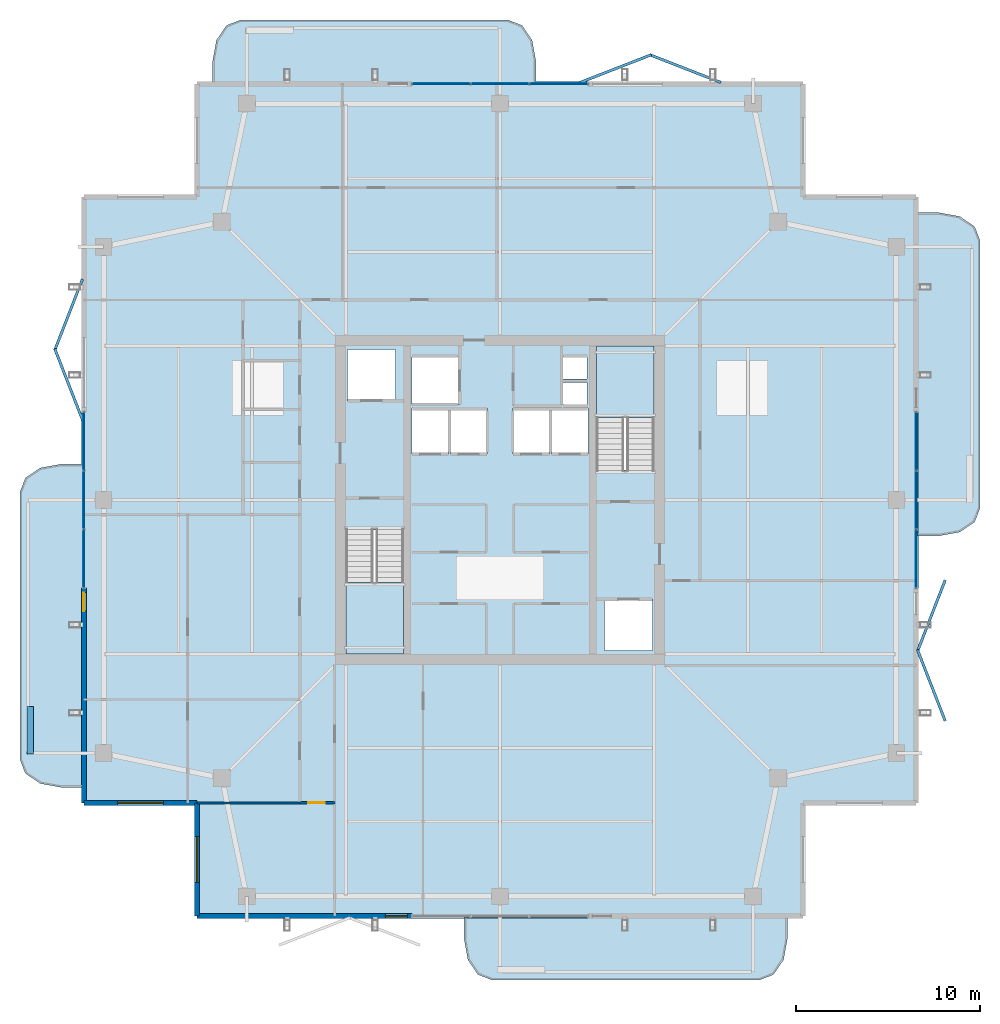
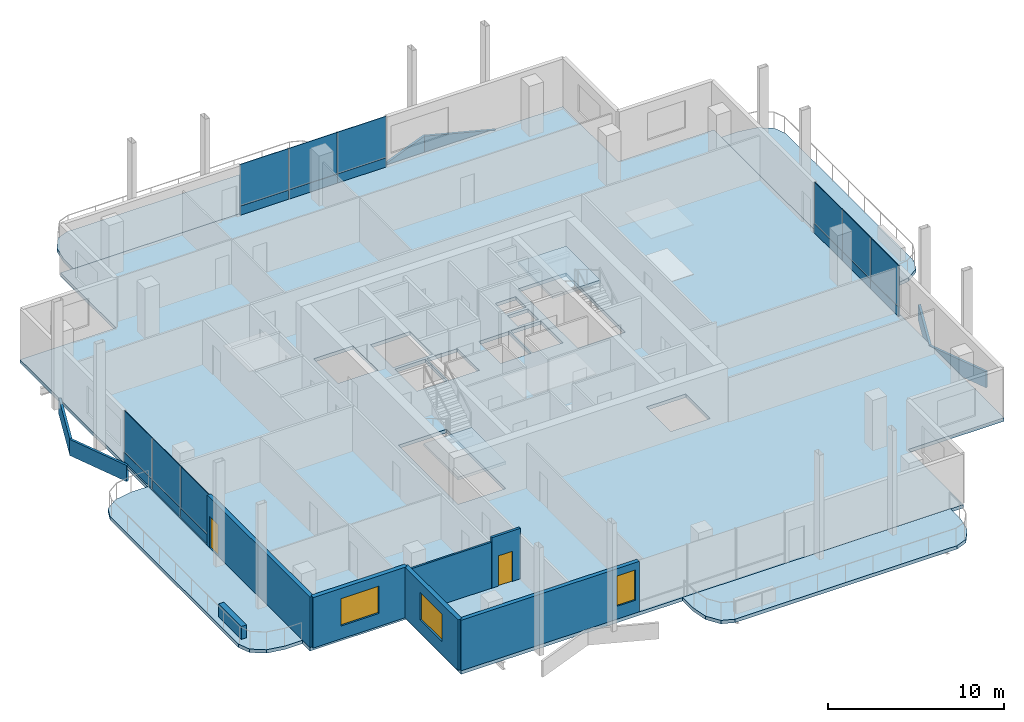
# One storey, part 13 of 20: 24 plates, 7 slabs, 7 walls, 3 windows, 2 doors, 5 openings, 5 elements without a shape of their own.
"""IFC4 building model written with IfcOpenShell, lengths in metres."""

from ifc_helpers import new_model, si_unit, direction, frame, frame_2d, origin, origin_2d, place, context, subcontext, project, spatial, polyline, rectangle, outline, extrude, material, layer, layer_set, type_object, element, fill, aggregate, save


model = new_model("IFC4")

# Units and contexts
model_context = context("Model", 3, precision=1e-05, world=origin(), true_north=direction((0.0, 1.0)))
body_context = subcontext(model_context, "Body", "Model", "MODEL_VIEW")
ifc_project = project(units=[si_unit("LENGTHUNIT", "METRE"), si_unit("AREAUNIT", "SQUARE_METRE"), si_unit("VOLUMEUNIT", "CUBIC_METRE"), si_unit("PLANEANGLEUNIT", "RADIAN"), si_unit("MASSUNIT", "GRAM", prefix="KILO")], contexts=[model_context])

# Site, building, storey
site_placement = place(None, origin())
site = spatial("IfcSite", under=ifc_project, at=site_placement, CompositionType="ELEMENT")
building_placement = place(site_placement, origin())
building = spatial("IfcBuilding", under=site, at=building_placement, Name="Belovzor Exchange Tower", CompositionType="ELEMENT")
storey_placement = place(building_placement, frame((0.0, 0.0, 299.25)))
storey = spatial("IfcBuildingStorey", under=building, at=storey_placement, Name="L74", CompositionType="ELEMENT", Elevation=299.25)

# Slab
ifc_material_1 = material(Name="Concrete C40/50", Category="concrete")
ifc_layer_1 = layer(ifc_material_1, 0.239990234375)
ifc_layer_set_1 = layer_set([ifc_layer_1], Name="Concrete C40/50")
slab_type_1 = type_object("IfcSlabType", Name="Composite High-Rise Floor Deck Slab 240", PredefinedType="FLOOR", material=ifc_layer_set_1)
slab_1_placement = place(storey_placement, frame((0.0, 0.0, -0.239990234375)))
element("IfcSlab", 1, at=slab_1_placement, inside=storey, type_object=slab_type_1, Name="SL-F240 Structural Slab L74", PredefinedType="FLOOR", context=body_context, shape_type="SweptSolid", body=[
    extrude(outline(polyline([(12.300048828125, 6.0), (45.300048828125, 6.0), (45.300048828125, 12.300048828125), (51.60009765625, 12.300048828125), (51.60009765625, 45.300048828125), (45.300048828125, 45.300048828125), (45.300048828125, 51.60009765625), (12.300048828125, 51.60009765625), (12.300048828125, 45.300048828125), (6.0, 45.300048828125), (6.0, 12.300048828125), (12.300048828125, 12.300048828125), (12.300048828125, 6.0)]), holes=[polyline([(20.39990234375, 27.175048828125), (20.39990234375, 20.39990234375), (23.550048828125, 20.39990234375), (23.550048828125, 27.175048828125), (20.39990234375, 27.175048828125)]), polyline([(37.199951171875, 30.425048828125), (37.199951171875, 37.199951171875), (34.050048828125, 37.199951171875), (34.050048828125, 30.425048828125), (37.199951171875, 30.425048828125)]), polyline([(20.5, 34.199951171875), (23.10009765625, 34.199951171875), (23.10009765625, 37.0), (20.5, 37.0), (20.5, 34.199951171875)]), polyline([(34.5, 20.60009765625), (37.10009765625, 20.60009765625), (37.10009765625, 23.39990234375), (34.5, 23.39990234375), (34.5, 20.60009765625)]), polyline([(24.0, 34.0), (26.60009765625, 34.0), (26.60009765625, 36.60009765625), (24.0, 36.60009765625), (24.0, 34.0)]), polyline([(24.0, 31.300048828125), (26.0, 31.300048828125), (26.0, 33.800048828125), (24.0, 33.800048828125), (24.0, 31.300048828125)]), polyline([(26.10009765625, 31.300048828125), (28.10009765625, 31.300048828125), (28.10009765625, 33.800048828125), (26.10009765625, 33.800048828125), (26.10009765625, 31.300048828125)]), polyline([(29.5, 31.300048828125), (31.5, 31.300048828125), (31.5, 33.800048828125), (29.5, 33.800048828125), (29.5, 31.300048828125)]), polyline([(31.60009765625, 31.300048828125), (33.60009765625, 31.300048828125), (33.60009765625, 33.800048828125), (31.60009765625, 33.800048828125), (31.60009765625, 31.300048828125)]), polyline([(32.199951171875, 34.0), (33.550048828125, 34.0), (33.550048828125, 35.199951171875), (32.199951171875, 35.199951171875), (32.199951171875, 34.0)]), polyline([(32.199951171875, 35.39990234375), (33.550048828125, 35.39990234375), (33.550048828125, 36.60009765625), (32.199951171875, 36.60009765625), (32.199951171875, 35.39990234375)])]), origin(), (0.0, 0.0, 1.0), 0.239990234375),
])

# Curtain wall, plates
ifc_material_2 = material(Name="Anodised Aluminium Framing", Category="aluminium")
ifc_layer_2 = layer(ifc_material_2, 0.179931640625)
ifc_layer_set_2 = layer_set([ifc_layer_2], Name="Anodised Aluminium Framing")
curtain_wall_type = type_object("IfcCurtainWallType", Name="Recessed Loggia Low-Iron Triple-Glazed Curtain Wall", PredefinedType="NOTDEFINED", material=ifc_layer_set_2)
curtain_wall_1_placement = place(storey_placement, origin())
curtain_wall_1 = element("IfcCurtainWall", 2, at=curtain_wall_1_placement, inside=storey, type_object=curtain_wall_type, Name="CW3 Recessed Loggia Low-Iron Triple-Glazed Curtain Wall L74", PredefinedType="NOTDEFINED")
ifc_material_3 = material(Name="Solar-Control Triple Glazing", Category="glass")
ifc_layer_3 = layer(ifc_material_3, 0.0439453125)
ifc_layer_set_3 = layer_set([ifc_layer_3], Name="Solar-Control Triple Glazing")
plate_type_1 = type_object("IfcPlateType", Name="Insulated Solar Glazing Curtain Panel 44", PredefinedType="CURTAIN_PANEL", material=ifc_layer_set_3)
plate_1_placement = place(storey_placement, frame((25.60009765625, 51.469970703125, 0.634033203125), z_axis=(0.0, 0.0, 1.0), x_axis=(1.0, 0.0, 0.0)))
plate_1 = element("IfcPlate", 3, at=plate_1_placement, type_object=plate_type_1, Name="GLZ-44 Glazed Curtain Panel 1", PredefinedType="CURTAIN_PANEL", context=body_context, shape_type="SweptSolid", body=[
    extrude(rectangle(XDim=3.18408203125, YDim=0.0439453125, at=origin_2d()), origin(), (0.0, 0.0, 1.0), 2.8759765625),
])
plate_2_placement = place(storey_placement, frame((28.800048828125, 51.469970703125, 0.634033203125), z_axis=(0.0, 0.0, 1.0), x_axis=(1.0, 0.0, 0.0)))
plate_2 = element("IfcPlate", 4, at=plate_2_placement, type_object=plate_type_1, Name="GLZ-44 Glazed Curtain Panel 2", PredefinedType="CURTAIN_PANEL", context=body_context, shape_type="SweptSolid", body=[
    extrude(rectangle(XDim=3.18408203125, YDim=0.0439453125, at=origin_2d()), origin(), (0.0, 0.0, 1.0), 2.8759765625),
])
plate_3_placement = place(storey_placement, frame((32.0, 51.469970703125, 0.634033203125), z_axis=(0.0, 0.0, 1.0), x_axis=(1.0, 0.0, 0.0)))
plate_3 = element("IfcPlate", 5, at=plate_3_placement, type_object=plate_type_1, Name="GLZ-44 Glazed Curtain Panel 3", PredefinedType="CURTAIN_PANEL", context=body_context, shape_type="SweptSolid", body=[
    extrude(rectangle(XDim=3.18408203125, YDim=0.0439453125, at=origin_2d()), origin(), (0.0, 0.0, 1.0), 2.8759765625),
])

curtain_wall_2_placement = place(storey_placement, origin())
curtain_wall_2 = element("IfcCurtainWall", 6, at=curtain_wall_2_placement, inside=storey, type_object=curtain_wall_type, Name="CW3 Recessed Loggia Low-Iron Triple-Glazed Curtain Wall L74", PredefinedType="NOTDEFINED")
plate_4_placement = place(storey_placement, frame((6.1298828125, 25.60009765625, 0.634033203125), z_axis=(0.0, 0.0, 1.0), x_axis=(0.0, 1.0, 0.0)))
plate_4 = element("IfcPlate", 7, at=plate_4_placement, type_object=plate_type_1, Name="GLZ-44 Glazed Curtain Panel 1", PredefinedType="CURTAIN_PANEL", context=body_context, shape_type="SweptSolid", body=[
    extrude(rectangle(XDim=3.18408203125, YDim=0.0439453125, at=origin_2d()), origin(), (0.0, 0.0, 1.0), 2.8759765625),
])
plate_5_placement = place(storey_placement, frame((6.1298828125, 28.800048828125, 0.634033203125), z_axis=(0.0, 0.0, 1.0), x_axis=(0.0, 1.0, 0.0)))
plate_5 = element("IfcPlate", 8, at=plate_5_placement, type_object=plate_type_1, Name="GLZ-44 Glazed Curtain Panel 2", PredefinedType="CURTAIN_PANEL", context=body_context, shape_type="SweptSolid", body=[
    extrude(rectangle(XDim=3.18408203125, YDim=0.0439453125, at=origin_2d()), origin(), (0.0, 0.0, 1.0), 2.8759765625),
])
plate_6_placement = place(storey_placement, frame((6.1298828125, 32.0, 0.634033203125), z_axis=(0.0, 0.0, 1.0), x_axis=(0.0, 1.0, 0.0)))
plate_6 = element("IfcPlate", 9, at=plate_6_placement, type_object=plate_type_1, Name="GLZ-44 Glazed Curtain Panel 3", PredefinedType="CURTAIN_PANEL", context=body_context, shape_type="SweptSolid", body=[
    extrude(rectangle(XDim=3.18408203125, YDim=0.0439453125, at=origin_2d()), origin(), (0.0, 0.0, 1.0), 2.8759765625),
])

curtain_wall_3_placement = place(storey_placement, origin())
curtain_wall_3 = element("IfcCurtainWall", 10, at=curtain_wall_3_placement, inside=storey, type_object=curtain_wall_type, Name="CW3 Recessed Loggia Low-Iron Triple-Glazed Curtain Wall L74", PredefinedType="NOTDEFINED")
plate_7_placement = place(storey_placement, frame((51.469970703125, 32.0, 0.634033203125), z_axis=(0.0, 0.0, 1.0), x_axis=(0.0, -1.0, 0.0)))
plate_7 = element("IfcPlate", 11, at=plate_7_placement, type_object=plate_type_1, Name="GLZ-44 Glazed Curtain Panel 1", PredefinedType="CURTAIN_PANEL", context=body_context, shape_type="SweptSolid", body=[
    extrude(rectangle(XDim=3.18408203125, YDim=0.0439453125, at=origin_2d()), origin(), (0.0, 0.0, 1.0), 2.8759765625),
])
plate_8_placement = place(storey_placement, frame((51.469970703125, 28.800048828125, 0.634033203125), z_axis=(0.0, 0.0, 1.0), x_axis=(0.0, -1.0, 0.0)))
plate_8 = element("IfcPlate", 12, at=plate_8_placement, type_object=plate_type_1, Name="GLZ-44 Glazed Curtain Panel 2", PredefinedType="CURTAIN_PANEL", context=body_context, shape_type="SweptSolid", body=[
    extrude(rectangle(XDim=3.18408203125, YDim=0.0439453125, at=origin_2d()), origin(), (0.0, 0.0, 1.0), 2.8759765625),
])
plate_9_placement = place(storey_placement, frame((51.469970703125, 25.60009765625, 0.634033203125), z_axis=(0.0, 0.0, 1.0), x_axis=(0.0, -1.0, 0.0)))
plate_9 = element("IfcPlate", 13, at=plate_9_placement, type_object=plate_type_1, Name="GLZ-44 Glazed Curtain Panel 3", PredefinedType="CURTAIN_PANEL", context=body_context, shape_type="SweptSolid", body=[
    extrude(rectangle(XDim=3.18408203125, YDim=0.0439453125, at=origin_2d()), origin(), (0.0, 0.0, 1.0), 2.8759765625),
])

# Stair, slab
ifc_material_4 = material(Name="Concrete C40/50", Category="concrete")
stair_type = type_object("IfcStairType", Name="Reinforced Concrete Dogleg Escape Stair 1350", PredefinedType="HALF_TURN_STAIR", material=ifc_material_4)
stair_1_placement = place(storey_placement, origin())
stair_1 = element("IfcStair", 14, at=stair_1_placement, inside=storey, type_object=stair_type, Name="L74 ST-1", PredefinedType="HALF_TURN_STAIR")
ifc_material_5 = material(Name="Concrete C40/50", Category="concrete")
ifc_layer_4 = layer(ifc_material_5, 0.199951171875)
ifc_layer_set_4 = layer_set([ifc_layer_4], Name="Concrete C40/50")
slab_type_2 = type_object("IfcSlabType", Name="Reinforced Concrete Stair Half-Landing Slab 200", PredefinedType="LANDING", material=ifc_layer_set_4)
slab_2_placement = place(storey_placement, frame((0.0, 0.0, 1.675048828125)))
slab_2 = element("IfcSlab", 15, at=slab_2_placement, type_object=slab_type_2, Name="ST-1 landing 1", PredefinedType="LANDING", context=body_context, shape_type="SweptSolid", body=[
    extrude(outline(polyline([(20.39990234375, 24.300048828125), (20.39990234375, 20.39990234375), (23.550048828125, 20.39990234375), (23.550048828125, 24.300048828125), (20.39990234375, 24.300048828125)])), origin(), (0.0, 0.0, 1.0), 0.199951171875),
])
aggregate(stair_1, [slab_2])

stair_2_placement = place(storey_placement, origin())
stair_2 = element("IfcStair", 16, at=stair_2_placement, inside=storey, type_object=stair_type, Name="L74 ST-2", PredefinedType="HALF_TURN_STAIR")
slab_3_placement = place(storey_placement, frame((0.0, 0.0, 1.675048828125)))
slab_3 = element("IfcSlab", 17, at=slab_3_placement, type_object=slab_type_2, Name="ST-2 landing 1", PredefinedType="LANDING", context=body_context, shape_type="SweptSolid", body=[
    extrude(outline(polyline([(37.199951171875, 33.300048828125), (37.199951171875, 37.199951171875), (34.050048828125, 37.199951171875), (34.050048828125, 33.300048828125), (37.199951171875, 33.300048828125)])), origin(), (0.0, 0.0, 1.0), 0.199951171875),
])
aggregate(stair_2, [slab_3])

# Plate
ifc_material_6 = material(Name="Extruded Architectural Terracotta", Category="masonry")
ifc_layer_5 = layer(ifc_material_6, 0.090087890625)
ifc_layer_set_5 = layer_set([ifc_layer_5], Name="Extruded Architectural Terracotta")
plate_type_2 = type_object("IfcPlateType", Name="Terracotta Shadow-Box Spandrel Panel 90", PredefinedType="CURTAIN_PANEL", material=ifc_layer_set_5)
plate_10_placement = place(storey_placement, frame((25.60009765625, 51.469970703125, 0.0), z_axis=(0.0, 0.0, 1.0), x_axis=(1.0, 0.0, 0.0)))
plate_10 = element("IfcPlate", 18, at=plate_10_placement, type_object=plate_type_2, Name="SPD-90 Spandrel Panel 1", PredefinedType="CURTAIN_PANEL", context=body_context, shape_type="SweptSolid", body=[
    extrude(rectangle(XDim=3.18408203125, YDim=0.090087890625, at=origin_2d()), origin(), (0.0, 0.0, 1.0), 0.6298828125),
])

plate_11_placement = place(storey_placement, frame((28.800048828125, 51.469970703125, 0.0), z_axis=(0.0, 0.0, 1.0), x_axis=(1.0, 0.0, 0.0)))
plate_11 = element("IfcPlate", 19, at=plate_11_placement, type_object=plate_type_2, Name="SPD-90 Spandrel Panel 2", PredefinedType="CURTAIN_PANEL", context=body_context, shape_type="SweptSolid", body=[
    extrude(rectangle(XDim=3.18408203125, YDim=0.090087890625, at=origin_2d()), origin(), (0.0, 0.0, 1.0), 0.6298828125),
])

plate_12_placement = place(storey_placement, frame((32.0, 51.469970703125, 0.0), z_axis=(0.0, 0.0, 1.0), x_axis=(1.0, 0.0, 0.0)))
plate_12 = element("IfcPlate", 20, at=plate_12_placement, type_object=plate_type_2, Name="SPD-90 Spandrel Panel 3", PredefinedType="CURTAIN_PANEL", context=body_context, shape_type="SweptSolid", body=[
    extrude(rectangle(XDim=3.18408203125, YDim=0.090087890625, at=origin_2d()), origin(), (0.0, 0.0, 1.0), 0.6298828125),
])

aggregate(curtain_wall_1, [plate_10, plate_1, plate_11, plate_2, plate_12, plate_3])

plate_13_placement = place(storey_placement, frame((6.1298828125, 25.60009765625, 0.0), z_axis=(0.0, 0.0, 1.0), x_axis=(0.0, 1.0, 0.0)))
plate_13 = element("IfcPlate", 21, at=plate_13_placement, type_object=plate_type_2, Name="SPD-90 Spandrel Panel 1", PredefinedType="CURTAIN_PANEL", context=body_context, shape_type="SweptSolid", body=[
    extrude(rectangle(XDim=3.18408203125, YDim=0.090087890625, at=origin_2d()), origin(), (0.0, 0.0, 1.0), 0.6298828125),
])

plate_14_placement = place(storey_placement, frame((6.1298828125, 28.800048828125, 0.0), z_axis=(0.0, 0.0, 1.0), x_axis=(0.0, 1.0, 0.0)))
plate_14 = element("IfcPlate", 22, at=plate_14_placement, type_object=plate_type_2, Name="SPD-90 Spandrel Panel 2", PredefinedType="CURTAIN_PANEL", context=body_context, shape_type="SweptSolid", body=[
    extrude(rectangle(XDim=3.18408203125, YDim=0.090087890625, at=origin_2d()), origin(), (0.0, 0.0, 1.0), 0.6298828125),
])

plate_15_placement = place(storey_placement, frame((6.1298828125, 32.0, 0.0), z_axis=(0.0, 0.0, 1.0), x_axis=(0.0, 1.0, 0.0)))
plate_15 = element("IfcPlate", 23, at=plate_15_placement, type_object=plate_type_2, Name="SPD-90 Spandrel Panel 3", PredefinedType="CURTAIN_PANEL", context=body_context, shape_type="SweptSolid", body=[
    extrude(rectangle(XDim=3.18408203125, YDim=0.090087890625, at=origin_2d()), origin(), (0.0, 0.0, 1.0), 0.6298828125),
])

aggregate(curtain_wall_2, [plate_13, plate_4, plate_14, plate_5, plate_15, plate_6])

plate_16_placement = place(storey_placement, frame((51.469970703125, 32.0, 0.0), z_axis=(0.0, 0.0, 1.0), x_axis=(0.0, -1.0, 0.0)))
plate_16 = element("IfcPlate", 24, at=plate_16_placement, type_object=plate_type_2, Name="SPD-90 Spandrel Panel 1", PredefinedType="CURTAIN_PANEL", context=body_context, shape_type="SweptSolid", body=[
    extrude(rectangle(XDim=3.18408203125, YDim=0.090087890625, at=origin_2d()), origin(), (0.0, 0.0, 1.0), 0.6298828125),
])

plate_17_placement = place(storey_placement, frame((51.469970703125, 28.800048828125, 0.0), z_axis=(0.0, 0.0, 1.0), x_axis=(0.0, -1.0, 0.0)))
plate_17 = element("IfcPlate", 25, at=plate_17_placement, type_object=plate_type_2, Name="SPD-90 Spandrel Panel 2", PredefinedType="CURTAIN_PANEL", context=body_context, shape_type="SweptSolid", body=[
    extrude(rectangle(XDim=3.18408203125, YDim=0.090087890625, at=origin_2d()), origin(), (0.0, 0.0, 1.0), 0.6298828125),
])

plate_18_placement = place(storey_placement, frame((51.469970703125, 25.60009765625, 0.0), z_axis=(0.0, 0.0, 1.0), x_axis=(0.0, -1.0, 0.0)))
plate_18 = element("IfcPlate", 26, at=plate_18_placement, type_object=plate_type_2, Name="SPD-90 Spandrel Panel 3", PredefinedType="CURTAIN_PANEL", context=body_context, shape_type="SweptSolid", body=[
    extrude(rectangle(XDim=3.18408203125, YDim=0.090087890625, at=origin_2d()), origin(), (0.0, 0.0, 1.0), 0.6298828125),
])

aggregate(curtain_wall_3, [plate_16, plate_7, plate_17, plate_8, plate_18, plate_9])

# Slabs
ifc_material_7 = material(Name="Concrete C40/50", Category="concrete")
ifc_layer_6 = layer(ifc_material_7, 0.239990234375)
ifc_layer_set_6 = layer_set([ifc_layer_6], Name="Concrete C40/50")
slab_type_3 = type_object("IfcSlabType", Name="Thermally Broken Upper Balcony Slab 240", PredefinedType="FLOOR", material=ifc_layer_set_6)
slab_4_placement = place(storey_placement, frame((0.0, 0.0, -0.239990234375)))
element("IfcSlab", 27, at=slab_4_placement, inside=storey, type_object=slab_type_3, Name="SL-BAL220 Planted Balcony Loggia L74 South", PredefinedType="FLOOR", context=body_context, shape_type="SweptSolid", body=[
    extrude(outline(polyline([(26.85009765625, 6.014892578125), (26.85009765625, 4.85009765625), (27.051025390625, 3.75), (27.60009765625, 2.945068359375), (28.35009765625, 2.64990234375), (42.949951171875, 2.64990234375), (43.699951171875, 2.945068359375), (44.2490234375, 3.75), (44.449951171875, 4.85009765625), (44.449951171875, 6.014892578125), (26.85009765625, 6.014892578125)])), origin(), (0.0, 0.0, 1.0), 0.239990234375),
])
slab_5_placement = place(storey_placement, frame((0.0, 0.0, -0.239990234375)))
element("IfcSlab", 28, at=slab_5_placement, inside=storey, type_object=slab_type_3, Name="SL-BAL220 Planted Balcony Loggia L74 North", PredefinedType="FLOOR", context=body_context, shape_type="SweptSolid", body=[
    extrude(outline(polyline([(30.75, 51.5849609375), (30.75, 52.75), (30.549072265625, 53.85009765625), (30.0, 54.655029296875), (29.25, 54.949951171875), (14.64990234375, 54.949951171875), (13.89990234375, 54.655029296875), (13.35107421875, 53.85009765625), (13.14990234375, 52.75), (13.14990234375, 51.5849609375), (30.75, 51.5849609375)])), origin(), (0.0, 0.0, 1.0), 0.239990234375),
])
slab_6_placement = place(storey_placement, frame((0.0, 0.0, -0.239990234375)))
element("IfcSlab", 29, at=slab_6_placement, inside=storey, type_object=slab_type_3, Name="SL-BAL220 Planted Balcony Loggia L74 East", PredefinedType="FLOOR", context=body_context, shape_type="SweptSolid", body=[
    extrude(outline(polyline([(51.5849609375, 26.85009765625), (52.75, 26.85009765625), (53.85009765625, 27.051025390625), (54.655029296875, 27.60009765625), (54.949951171875, 28.35009765625), (54.949951171875, 42.949951171875), (54.655029296875, 43.699951171875), (53.85009765625, 44.2490234375), (52.75, 44.449951171875), (51.5849609375, 44.449951171875), (51.5849609375, 26.85009765625)])), origin(), (0.0, 0.0, 1.0), 0.239990234375),
])
slab_7_placement = place(storey_placement, frame((0.0, 0.0, -0.239990234375)))
element("IfcSlab", 30, at=slab_7_placement, inside=storey, type_object=slab_type_3, Name="SL-BAL220 Planted Balcony Loggia L74 West", PredefinedType="FLOOR", context=body_context, shape_type="SweptSolid", body=[
    extrude(outline(polyline([(6.014892578125, 30.75), (4.85009765625, 30.75), (3.75, 30.549072265625), (2.945068359375, 30.0), (2.64990234375, 29.25), (2.64990234375, 14.64990234375), (2.945068359375, 13.89990234375), (3.75, 13.35107421875), (4.85009765625, 13.14990234375), (6.014892578125, 13.14990234375), (6.014892578125, 30.75)])), origin(), (0.0, 0.0, 1.0), 0.239990234375),
])

# Plates
ifc_material_8 = material(Name="Extruded Architectural Terracotta", Category="masonry")
ifc_layer_7 = layer(ifc_material_8, 0.14990234375)
ifc_layer_set_7 = layer_set([ifc_layer_7], Name="Extruded Architectural Terracotta")
plate_type_3 = type_object("IfcPlateType", Name="Upper-Crown Deep Folded Zigzag Terracotta Spandrel Louvre 150", PredefinedType="USERDEFINED", material=ifc_layer_set_7)
for number, where, z_axis, x_axis, name in (
    (31, (52.300048828125, 18.699951171875, -1.10498046875), (0.0, 0.0, 1.0), (-0.362925986758, 0.931817969421, 0.0), "LVR-ZZ3 Zigzag Terracotta Spandrel Louvre L74 E1A"),
    (32, (52.300048828125, 22.5, -1.10498046875), (0.0, 0.0, 1.0), (0.362925986758, 0.931817969421, 0.0), "LVR-ZZ3 Zigzag Terracotta Spandrel Louvre L74 E1B"),
    (33, (35.10009765625, 52.300048828125, -1.10498046875), (0.0, 0.0, 1.0), (0.931817969421, 0.362925986758, 0.0), "LVR-ZZ3 Zigzag Terracotta Spandrel Louvre L74 N2A"),
    (34, (38.89990234375, 52.300048828125, -1.10498046875), (0.0, 0.0, 1.0), (0.931817969421, -0.362925986758, 0.0), "LVR-ZZ3 Zigzag Terracotta Spandrel Louvre L74 N2B"),
    (35, (5.300048828125, 35.10009765625, -1.10498046875), (0.0, 0.0, 1.0), (-0.362925986758, 0.931817969421, 0.0), "LVR-ZZ3 Zigzag Terracotta Spandrel Louvre L74 W2A"),
    (36, (5.300048828125, 38.89990234375, -1.10498046875), (0.0, 0.0, 1.0), (0.362925986758, 0.931817969421, 0.0), "LVR-ZZ3 Zigzag Terracotta Spandrel Louvre L74 W2B"),
):
    element("IfcPlate", number, at=place(storey_placement, frame(where, z_axis=z_axis, x_axis=x_axis)), inside=storey, type_object=plate_type_3, Name=name, ObjectType="SPANDREL_LOUVRE", PredefinedType="USERDEFINED", context=body_context, shape_type="SweptSolid", body=[
        extrude(rectangle(XDim=4.157958984375, YDim=0.14990234375, at=origin_2d()), origin(), (0.0, 0.0, 1.0), 1.1201171875),
    ])

# Wall
ifc_material_9 = material(Name="Acoustic Plasterboard on Galvanised Studs", Category="gypsum")
ifc_layer_8 = layer(ifc_material_9, 0.1201171875)
ifc_layer_set_8 = layer_set([ifc_layer_8], Name="Acoustic Plasterboard on Galvanised Studs")
wall_type_1 = type_object("IfcWallType", Name="Acoustic Double-Stud Partition Wall 120", PredefinedType="PARTITIONING", material=ifc_layer_set_8)
wall_1_placement = place(storey_placement, frame((12.300048828125, 12.300048828125, 0.0), z_axis=(0.0, 0.0, 1.0), x_axis=(1.0, 0.0, 0.0)))
element("IfcWall", 37, at=wall_1_placement, inside=storey, type_object=wall_type_1, Name="W-P120 Partition Wall W-L74-SWS", PredefinedType="PARTITIONING", context=body_context, shape_type="SweptSolid", body=[
    extrude(rectangle(XDim=5.599853515625, YDim=0.1201171875, at=frame_2d((2.7998046875, 0.0))), origin(), (0.0, 0.0, 1.0), 3.195068359375),
])

# Wall, opening, door
ifc_material_10 = material(Name="Fire-Rated Gypsum Block and Mineral Wool", Category="gypsum")
ifc_layer_9 = layer(ifc_material_10, 0.14990234375)
ifc_layer_set_9 = layer_set([ifc_layer_9], Name="Fire-Rated Gypsum Block and Mineral Wool")
wall_type_2 = type_object("IfcWallType", Name="Fire-Rated Gypsum Block Corridor Wall 150", PredefinedType="PARTITIONING", material=ifc_layer_set_9)
wall_2_placement = place(storey_placement, frame((17.89990234375, 12.300048828125, 0.0), z_axis=(0.0, 0.0, 1.0), x_axis=(1.0, 0.0, 0.0)))
wall_2 = element("IfcWall", 38, at=wall_2_placement, inside=storey, type_object=wall_type_2, Name="W-P150 Partition Wall W-L74-CW-END", PredefinedType="PARTITIONING", context=body_context, shape_type="SweptSolid", body=[
    extrude(rectangle(XDim=1.900146484375, YDim=0.14990234375, at=frame_2d((0.9501953125, 0.0))), origin(), (0.0, 0.0, 1.0), 3.510009765625),
])
opening_1_placement = place(wall_2_placement, frame((0.449951171875, 0.0, 0.0)))
opening_1 = element("IfcOpeningElement", 39, at=opening_1_placement, cuts=wall_2, Name="Opening D-FD60-090", PredefinedType="OPENING", context=body_context, shape_type="SweptSolid", body=[
    extrude(rectangle(XDim=0.89990234375, YDim=2.10009765625, at=frame_2d((0.449951171875, 1.050048828125))), frame((0.0, 0.0849609375, 0.0), z_axis=(0.0, -1.0, 0.0), x_axis=(1.0, 0.0, 0.0)), (0.0, 0.0, 1.0), 0.169921875),
])
ifc_material_11 = material(Name="Acoustic Timber Fire Leaf", Category="wood")
door_type_1 = type_object("IfcDoorType", Name="Core Service & Restroom Fire Door 900x2100", OperationType="NOTDEFINED", PredefinedType="DOOR", material=ifc_material_11)
door_1_placement = place(opening_1_placement, origin())
door_1 = element("IfcDoor", 40, at=door_1_placement, inside=storey, type_object=door_type_1, Name="D-FD60-090 Core Service & Restroom Fire Door 900x2100", OperationType="SINGLE_SWING_LEFT", OverallHeight=2.10009765625, OverallWidth=0.89990234375, PredefinedType="DOOR", context=body_context, shape_type="SweptSolid", body=[
    extrude(rectangle(XDim=0.89990234375, YDim=2.10009765625, at=frame_2d((0.449951171875, 1.050048828125))), frame((0.0, 0.02490234375, 0.0), z_axis=(0.0, -1.0, 0.0), x_axis=(1.0, 0.0, 0.0)), (0.0, 0.0, 1.0), 0.050048828125),
])
fill(opening_1, door_1)

# Wall, opening, window
ifc_material_12 = material(Name="Precast concrete C40/50", Category="concrete")
ifc_layer_10 = layer(ifc_material_12, 0.280029296875)
ifc_layer_set_10 = layer_set([ifc_layer_10], Name="Precast concrete C40/50")
wall_type_3 = type_object("IfcWallType", Name="Precast Concrete Notched Corner Frame Wall 280", PredefinedType="SOLIDWALL", material=ifc_layer_set_10)
wall_3_placement = place(storey_placement, frame((12.300048828125, 6.1298828125, 0.0), z_axis=(0.0, 0.0, 1.0), x_axis=(0.0, 1.0, 0.0)))
wall_3 = element("IfcWall", 41, at=wall_3_placement, inside=storey, type_object=wall_type_3, Name="W-CRN280 Precast Concrete Notched Corner Frame Wall 280 L74", PredefinedType="SOLIDWALL", context=body_context, shape_type="SweptSolid", body=[
    extrude(rectangle(XDim=6.170166015625, YDim=0.280029296875, at=frame_2d((3.0849609375, 0.0))), origin(), (0.0, 0.0, 1.0), 3.510009765625),
])
opening_2_placement = place(wall_3_placement, frame((1.8349609375, 0.0, 0.89990234375)))
opening_2 = element("IfcOpeningElement", 42, at=opening_2_placement, cuts=wall_3, Name="Opening WN-CRN250", PredefinedType="OPENING", context=body_context, shape_type="SweptSolid", body=[
    extrude(rectangle(XDim=2.5, YDim=1.89990234375, at=frame_2d((1.25, 0.949951171875))), frame((0.0, 0.14990234375, 0.0), z_axis=(0.0, -1.0, 0.0), x_axis=(1.0, 0.0, 0.0)), (0.0, 0.0, 1.0), 0.300048828125),
])
ifc_material_13 = material(Name="Thermally Broken Aluminium and Triple Glazing", Category="aluminium")
window_type_1 = type_object("IfcWindowType", Name="Streamline Moderne Corner Wrap Ribbon Window 2500x1900", PartitioningType="SINGLE_PANEL", PredefinedType="WINDOW", material=ifc_material_13)
window_1_placement = place(opening_2_placement, origin())
window_1 = element("IfcWindow", 43, at=window_1_placement, inside=storey, type_object=window_type_1, Name="WN-CRN250 Streamline Moderne Corner Wrap Ribbon Window 2500x1900", OverallHeight=1.89990234375, OverallWidth=2.5, PartitioningType="SINGLE_PANEL", PredefinedType="WINDOW", context=body_context, shape_type="SweptSolid", body=[
    extrude(rectangle(XDim=2.5, YDim=1.89990234375, at=frame_2d((1.25, 0.949951171875))), frame((0.0, 0.030029296875, 0.0), z_axis=(0.0, -1.0, 0.0), x_axis=(1.0, 0.0, 0.0)), (0.0, 0.0, 1.0), 0.06005859375),
])
fill(opening_2, window_1)

wall_4_placement = place(storey_placement, frame((12.300048828125, 12.300048828125, 0.0), z_axis=(0.0, 0.0, 1.0), x_axis=(-1.0, 0.0, 0.0)))
wall_4 = element("IfcWall", 44, at=wall_4_placement, inside=storey, type_object=wall_type_3, Name="W-CRN280 Precast Concrete Notched Corner Frame Wall 280 L74", PredefinedType="SOLIDWALL", context=body_context, shape_type="SweptSolid", body=[
    extrude(rectangle(XDim=6.170166015625, YDim=0.280029296875, at=frame_2d((3.0849609375, 0.0))), origin(), (0.0, 0.0, 1.0), 3.510009765625),
])
opening_3_placement = place(wall_4_placement, frame((1.8349609375, 0.0, 0.89990234375)))
opening_3 = element("IfcOpeningElement", 45, at=opening_3_placement, cuts=wall_4, Name="Opening WN-CRN250", PredefinedType="OPENING", context=body_context, shape_type="SweptSolid", body=[
    extrude(rectangle(XDim=2.5, YDim=1.89990234375, at=frame_2d((1.25, 0.949951171875))), frame((0.0, 0.14990234375, 0.0), z_axis=(0.0, -1.0, 0.0), x_axis=(1.0, 0.0, 0.0)), (0.0, 0.0, 1.0), 0.300048828125),
])
window_2_placement = place(opening_3_placement, origin())
window_2 = element("IfcWindow", 46, at=window_2_placement, inside=storey, type_object=window_type_1, Name="WN-CRN250 Streamline Moderne Corner Wrap Ribbon Window 2500x1900", OverallHeight=1.89990234375, OverallWidth=2.5, PartitioningType="SINGLE_PANEL", PredefinedType="WINDOW", context=body_context, shape_type="SweptSolid", body=[
    extrude(rectangle(XDim=2.5, YDim=1.89990234375, at=frame_2d((1.25, 0.949951171875))), frame((0.0, 0.030029296875, 0.0), z_axis=(0.0, -1.0, 0.0), x_axis=(1.0, 0.0, 0.0)), (0.0, 0.0, 1.0), 0.06005859375),
])
fill(opening_3, window_2)

ifc_material_14 = material(Name="Precast concrete C40/50", Category="concrete")
ifc_layer_11 = layer(ifc_material_14, 0.260009765625)
ifc_layer_set_11 = layer_set([ifc_layer_11], Name="Precast concrete C40/50")
wall_type_4 = type_object("IfcWallType", Name="Precast Concrete Perimeter Loggia Frame Wall 260", PredefinedType="SOLIDWALL", material=ifc_layer_set_11)
wall_5_placement = place(storey_placement, frame((24.0, 6.1298828125, 0.0), z_axis=(0.0, 0.0, 1.0), x_axis=(-1.0, 0.0, 0.0)))
wall_5 = element("IfcWall", 47, at=wall_5_placement, inside=storey, type_object=wall_type_4, Name="W-EXT260 Precast Concrete Perimeter Loggia Frame Wall 260 L74", PredefinedType="SOLIDWALL", context=body_context, shape_type="SweptSolid", body=[
    extrude(rectangle(XDim=11.699951171875, YDim=0.260009765625, at=frame_2d((5.85009765625, 0.0))), origin(), (0.0, 0.0, 1.0), 3.510009765625),
])
opening_4_placement = place(wall_5_placement, frame((0.25, 0.0, 0.89990234375)))
opening_4 = element("IfcOpeningElement", 48, at=opening_4_placement, cuts=wall_5, Name="Opening WN-CRN120", PredefinedType="OPENING", context=body_context, shape_type="SweptSolid", body=[
    extrude(rectangle(XDim=1.199951171875, YDim=2.10009765625, at=frame_2d((0.60009765625, 1.050048828125))), frame((0.0, 0.139892578125, 0.0), z_axis=(0.0, -1.0, 0.0), x_axis=(1.0, 0.0, 0.0)), (0.0, 0.0, 1.0), 0.280029296875),
])
ifc_material_15 = material(Name="Thermally Broken Aluminium and Triple Glazing", Category="aluminium")
window_type_2 = type_object("IfcWindowType", Name="Streamline Notched Corner Window 1200x2100", PartitioningType="SINGLE_PANEL", PredefinedType="WINDOW", material=ifc_material_15)
window_3_placement = place(opening_4_placement, origin())
window_3 = element("IfcWindow", 49, at=window_3_placement, inside=storey, type_object=window_type_2, Name="WN-CRN120 Streamline Notched Corner Window 1200x2100", OverallHeight=2.10009765625, OverallWidth=1.199951171875, PartitioningType="SINGLE_PANEL", PredefinedType="WINDOW", context=body_context, shape_type="SweptSolid", body=[
    extrude(rectangle(XDim=1.199951171875, YDim=2.10009765625, at=frame_2d((0.60009765625, 1.050048828125))), frame((0.0, 0.030029296875, 0.0), z_axis=(0.0, -1.0, 0.0), x_axis=(1.0, 0.0, 0.0)), (0.0, 0.0, 1.0), 0.06005859375),
])
fill(opening_4, window_3)

# Wall, opening, door
wall_6_placement = place(storey_placement, frame((6.1298828125, 12.300048828125, 0.0), z_axis=(0.0, 0.0, 1.0), x_axis=(0.0, 1.0, 0.0)))
wall_6 = element("IfcWall", 50, at=wall_6_placement, inside=storey, type_object=wall_type_4, Name="W-EXT260 Precast Concrete Perimeter Loggia Frame Wall 260 L74", PredefinedType="SOLIDWALL", context=body_context, shape_type="SweptSolid", body=[
    extrude(rectangle(XDim=11.699951171875, YDim=0.260009765625, at=frame_2d((5.85009765625, 0.0))), origin(), (0.0, 0.0, 1.0), 3.510009765625),
])
opening_5_placement = place(wall_6_placement, frame((10.449951171875, 0.0, 0.0)))
opening_5 = element("IfcOpeningElement", 51, at=opening_5_placement, cuts=wall_6, Name="Opening D-BAL100", PredefinedType="OPENING", context=body_context, shape_type="SweptSolid", body=[
    extrude(rectangle(XDim=1.0, YDim=2.199951171875, at=frame_2d((0.5, 1.10009765625))), frame((0.0, 0.139892578125, 0.0), z_axis=(0.0, -1.0, 0.0), x_axis=(1.0, 0.0, 0.0)), (0.0, 0.0, 1.0), 0.280029296875),
])
ifc_material_16 = material(Name="Thermally Broken Anodised Aluminium and Laminated Glass", Category="aluminium")
door_type_2 = type_object("IfcDoorType", Name="Planted Loggia Terrace Glazed Door 1000x2200", OperationType="SINGLE_SWING_LEFT", PredefinedType="DOOR", material=ifc_material_16)
door_2_placement = place(opening_5_placement, origin())
door_2 = element("IfcDoor", 52, at=door_2_placement, inside=storey, type_object=door_type_2, Name="D-BAL100 Balcony Terrace Door L74 W", OperationType="SINGLE_SWING_RIGHT", OverallHeight=2.199951171875, OverallWidth=1.0, PredefinedType="DOOR", context=body_context, shape_type="SweptSolid", body=[
    extrude(rectangle(XDim=1.0, YDim=2.199951171875, at=frame_2d((0.5, 1.10009765625))), frame((0.0, 0.02490234375, 0.0), z_axis=(0.0, -1.0, 0.0), x_axis=(1.0, 0.0, 0.0)), (0.0, 0.0, 1.0), 0.050048828125),
])
fill(opening_5, door_2)

# Wall
ifc_material_17 = material(Name="Precast concrete C40/50", Category="concrete")
ifc_layer_12 = layer(ifc_material_17, 0.35009765625)
ifc_layer_set_12 = layer_set([ifc_layer_12], Name="Precast concrete C40/50")
wall_type_5 = type_object("IfcWallType", Name="Precast Concrete Structural Tree Planter Trough 350", PredefinedType="PARAPET", material=ifc_layer_set_12)
wall_7_placement = place(storey_placement, frame((3.199951171875, 14.949951171875, 0.0), z_axis=(0.0, 0.0, 1.0), x_axis=(0.0, 1.0, 0.0)))
element("IfcWall", 53, at=wall_7_placement, inside=storey, type_object=wall_type_5, Name="PT-350 Precast Concrete Structural Tree Planter Trough 350 L74", PredefinedType="PARAPET", context=body_context, shape_type="SweptSolid", body=[
    extrude(rectangle(XDim=2.60009765625, YDim=0.35009765625, at=frame_2d((1.300048828125, 0.0))), origin(), (0.0, 0.0, 1.0), 0.89990234375),
])

save(model, "model.ifc")
